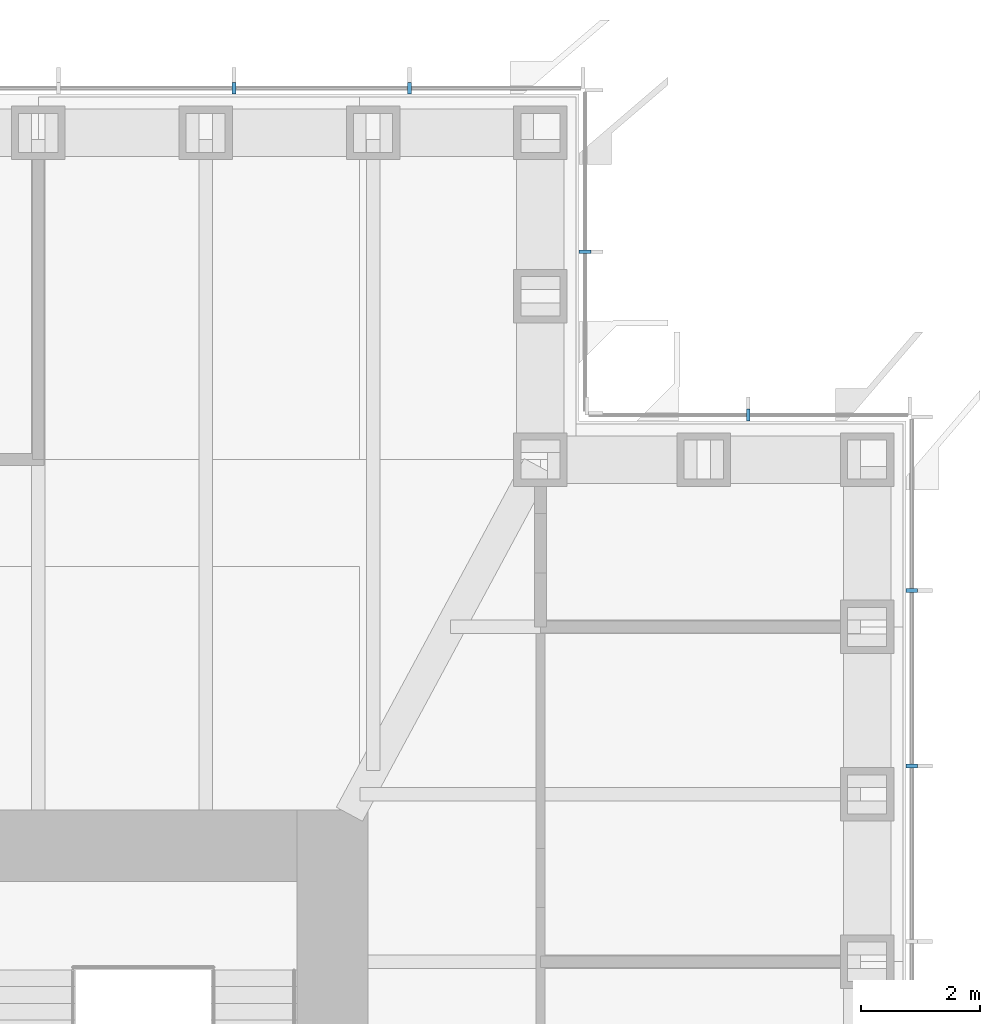
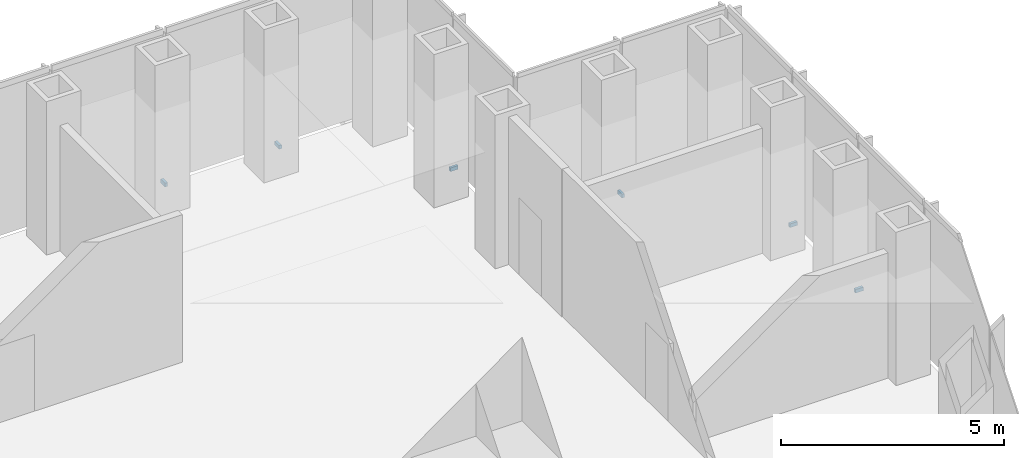
# One storey, part 15 of 17: 6 discrete accessories.
"""IFC4 building model written with IfcOpenShell, lengths in metres."""

from ifc_helpers import new_model, si_unit, direction, frame, origin, origin_2d, place, context, subcontext, project, spatial, rectangle, extrude, element, save


model = new_model("IFC4")

# Units and contexts
model_context = context("Model", 3, precision=1e-05, world=origin(), true_north=direction((0.0, 1.0)))
body_context = subcontext(model_context, "Body", "Model", "MODEL_VIEW")
ifc_project = project(units=[si_unit("LENGTHUNIT", "METRE"), si_unit("AREAUNIT", "SQUARE_METRE"), si_unit("VOLUMEUNIT", "CUBIC_METRE"), si_unit("PLANEANGLEUNIT", "RADIAN"), si_unit("MASSUNIT", "GRAM", prefix="KILO")], contexts=[model_context])

# Site, building, storey
site_placement = place(None, origin())
site = spatial("IfcSite", under=ifc_project, at=site_placement, CompositionType="ELEMENT")
building_placement = place(site_placement, origin())
building = spatial("IfcBuilding", under=site, at=building_placement, Name="Daluyong Arena Tower", CompositionType="ELEMENT")
storey_placement = place(building_placement, frame((0.0, 0.0, 185.5)))
storey = spatial("IfcBuildingStorey", under=building, at=storey_placement, Name="L41", CompositionType="ELEMENT", Elevation=185.5)

# Discrete accessories
for number, where, z_axis, x_axis, name in (
    (1, (77.75, 90.3408203125, -0.10009765625), (0.0, 0.0, 1.0), (0.0, 1.0, 0.0), "curtain wall L41 E anchor bracket 10"),
    (2, (77.75, 93.29541015625, -0.10009765625), (0.0, 0.0, 1.0), (0.0, 1.0, 0.0), "curtain wall L41 E anchor bracket 11"),
):
    element("IfcDiscreteAccessory", number, at=place(storey_placement, frame(where, z_axis=z_axis, x_axis=x_axis)), inside=storey, Name=name, PredefinedType="BRACKET", context=body_context, shape_type="SweptSolid", body=[
        extrude(rectangle(XDim=0.070068359375, YDim=0.199951171875, at=origin_2d()), origin(), (0.0, 0.0, 1.0), 0.10009765625),
    ])
for number, where, z_axis, x_axis, name in (
    (3, (75.0, 96.25, -0.10009765625), (0.0, 0.0, 1.0), (-1.0, 0.0, 0.0), "curtain wall L41 NE-N anchor bracket 2"),
    (4, (72.25, 99.0, -0.10009765625), (0.0, 0.0, 1.0), (0.0, 1.0, 0.0), "curtain wall L41 NE-E anchor bracket 2"),
):
    element("IfcDiscreteAccessory", number, at=place(storey_placement, frame(where, z_axis=z_axis, x_axis=x_axis)), inside=storey, Name=name, PredefinedType="BRACKET", context=body_context, shape_type="SweptSolid", body=[
        extrude(rectangle(XDim=0.06005859375, YDim=0.199951171875, at=origin_2d()), origin(), (0.0, 0.0, 1.0), 0.10009765625),
    ])
for number, where, z_axis, x_axis, name in (
    (5, (69.29541015625, 101.75, -0.10009765625), (0.0, 0.0, 1.0), (-1.0, 0.0, 0.0), "curtain wall L41 N anchor bracket 2"),
    (6, (66.3408203125, 101.75, -0.10009765625), (0.0, 0.0, 1.0), (-1.0, 0.0, 0.0), "curtain wall L41 N anchor bracket 3"),
):
    element("IfcDiscreteAccessory", number, at=place(storey_placement, frame(where, z_axis=z_axis, x_axis=x_axis)), inside=storey, Name=name, PredefinedType="BRACKET", context=body_context, shape_type="SweptSolid", body=[
        extrude(rectangle(XDim=0.070068359375, YDim=0.199951171875, at=origin_2d()), origin(), (0.0, 0.0, 1.0), 0.10009765625),
    ])

save(model, "model.ifc")
